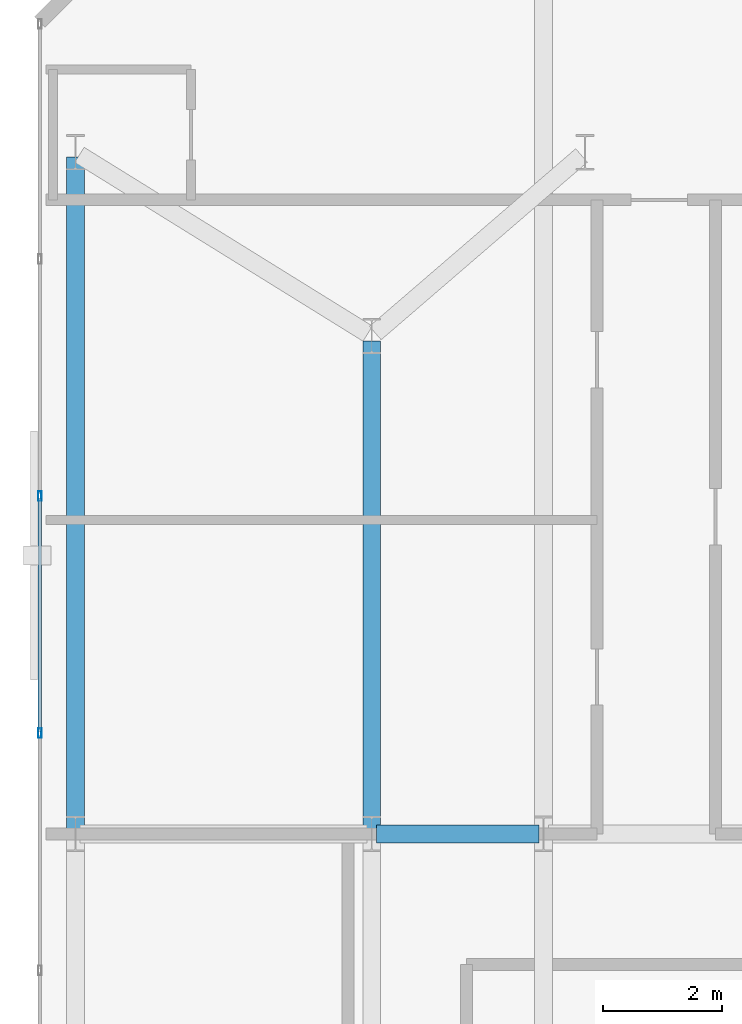
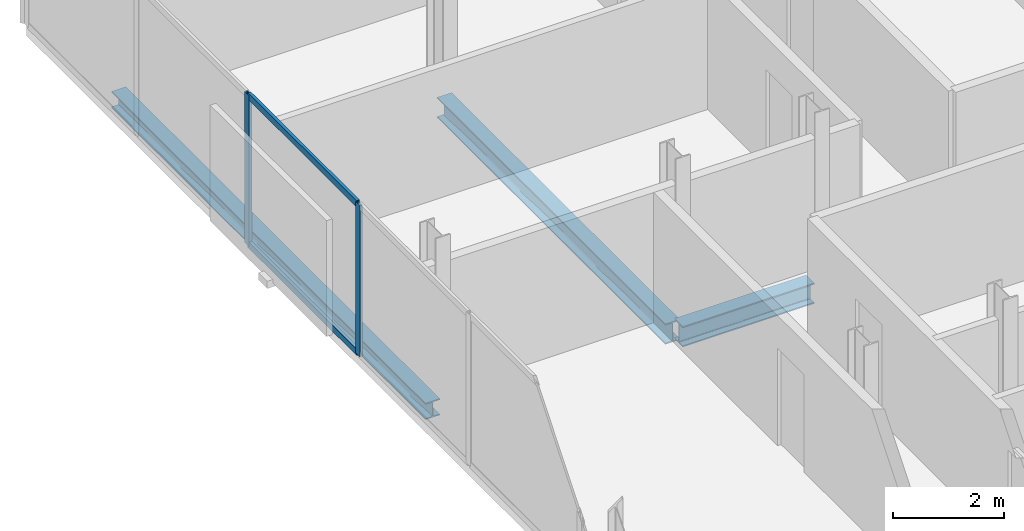
# One storey, part 11 of 32: 4 members, 3 beams, 1 element without a shape of its own.
"""IFC4 building model written with IfcOpenShell, lengths in metres."""

from ifc_helpers import new_model, si_unit, direction, frame, origin, origin_2d, place, context, subcontext, project, spatial, hollow_rectangle, i_section, extrude, material, layer, layer_set, material_profile, profile_set, type_object, element, aggregate, save


model = new_model("IFC4")

# Units and contexts
model_context = context("Model", 3, precision=1e-05, world=origin(), true_north=direction((0.0, 1.0)))
body_context = subcontext(model_context, "Body", "Model", "MODEL_VIEW")
ifc_project = project(units=[si_unit("LENGTHUNIT", "METRE"), si_unit("AREAUNIT", "SQUARE_METRE"), si_unit("VOLUMEUNIT", "CUBIC_METRE"), si_unit("PLANEANGLEUNIT", "RADIAN"), si_unit("MASSUNIT", "GRAM", prefix="KILO")], contexts=[model_context])

# Site, building, storey
site_placement = place(None, origin())
site = spatial("IfcSite", under=ifc_project, at=site_placement, CompositionType="ELEMENT")
building_placement = place(site_placement, origin())
building = spatial("IfcBuilding", under=site, at=building_placement, Name="Catumbela Crestline Tower", CompositionType="ELEMENT")
storey_placement = place(building_placement, frame((0.0, 0.0, 122.4)))
storey = spatial("IfcBuildingStorey", under=building, at=storey_placement, Name="L31", CompositionType="ELEMENT", Elevation=122.4)

# Beams
ifc_material_1 = material(Name="Structural steel S355J2", Category="steel")
ifc_material_profile_1 = material_profile(ifc_material_1, i_section(OverallWidth=0.3, OverallDepth=0.45, WebThickness=0.014, FlangeThickness=0.026, FilletRadius=0.027, at=origin_2d()), Name="HEB 450")
ifc_profile_set_1 = profile_set([ifc_material_profile_1], Name="Structural steel S355J2")
beam_type_1 = type_object("IfcBeamType", Name="BG-HEB450", PredefinedType="BEAM", material=ifc_profile_set_1)
beam_1_placement = place(storey_placement, frame((5.68, 30.8, -0.485), z_axis=(1.0, 0.0, 0.0), x_axis=(0.0, 1.0, 0.0)))
element("IfcBeam", 1, at=beam_1_placement, inside=storey, type_object=beam_type_1, Name="L31 Beam BM-L31-M08", PredefinedType="BEAM", context=body_context, shape_type="SweptSolid", body=[
    extrude(i_section(OverallWidth=0.3, OverallDepth=0.45, WebThickness=0.014, FlangeThickness=0.026, FilletRadius=0.027, at=origin_2d()), origin(), (0.0, 0.0, 1.0), 2.74),
])
beam_2_placement = place(storey_placement, frame((5.6, 30.88, -0.485), z_axis=(0.0, 1.0, 0.0), x_axis=(-1.0, 0.0, 0.0)))
element("IfcBeam", 2, at=beam_2_placement, inside=storey, type_object=beam_type_1, Name="L31 Beam BM-L31-SN25", PredefinedType="BEAM", context=body_context, shape_type="SweptSolid", body=[
    extrude(i_section(OverallWidth=0.3, OverallDepth=0.45, WebThickness=0.014, FlangeThickness=0.026, FilletRadius=0.027, at=origin_2d()), origin(), (0.0, 0.0, 1.0), 8.24),
])

# Curtain wall, members
ifc_material_2 = material(Name="Aluminium alloy AW-6060-T66", Category="aluminium")
ifc_layer = layer(ifc_material_2, 0.18, Name="Aluminium alloy AW-6060-T66")
ifc_layer_set = layer_set([ifc_layer], Name="Aluminium alloy AW-6060-T66")
curtain_wall_type = type_object("IfcCurtainWallType", Name="CWU-Z2", PredefinedType="USERDEFINED", material=ifc_layer_set)
curtain_wall_placement = place(storey_placement, origin())
curtain_wall = element("IfcCurtainWall", 3, at=curtain_wall_placement, inside=storey, type_object=curtain_wall_type, Name="L31 Unitised Curtain Wall CW-L31-E9S1", ObjectType="UNITISED", PredefinedType="USERDEFINED")
ifc_material_profile_2 = material_profile(ifc_material_2, hollow_rectangle(XDim=0.06, YDim=0.16, WallThickness=0.004, at=origin_2d()), Name="ALU 160x60x4")
ifc_profile_set_2 = profile_set([ifc_material_profile_2], Name="Aluminium alloy AW-6060-T66")
member_type_1 = type_object("IfcMemberType", Name="MUL-160X60", PredefinedType="MULLION", material=ifc_profile_set_2)
member_1_placement = place(storey_placement, frame((0.0, 36.5, 0.0), z_axis=(0.0, 0.0, 1.0), x_axis=(1.0, 0.0, 0.0)))
member_1 = element("IfcMember", 4, at=member_1_placement, type_object=member_type_1, Name="CWU-Z2 mullion 3", PredefinedType="MULLION", context=body_context, shape_type="SweptSolid", body=[
    extrude(hollow_rectangle(XDim=0.06, YDim=0.16, WallThickness=0.004, at=origin_2d()), origin(), (0.0, 0.0, 1.0), 3.33),
])
member_2_placement = place(storey_placement, frame((0.0, 32.5, 0.0), z_axis=(0.0, 0.0, 1.0), x_axis=(1.0, 0.0, 0.0)))
member_2 = element("IfcMember", 5, at=member_2_placement, type_object=member_type_1, Name="CWU-Z2 mullion 4", PredefinedType="MULLION", context=body_context, shape_type="SweptSolid", body=[
    extrude(hollow_rectangle(XDim=0.06, YDim=0.16, WallThickness=0.004, at=origin_2d()), origin(), (0.0, 0.0, 1.0), 3.33),
])

# Beam
ifc_material_profile_3 = material_profile(ifc_material_1, i_section(OverallWidth=0.3, OverallDepth=0.36, WebThickness=0.0125, FlangeThickness=0.0225, FilletRadius=0.027, at=origin_2d()), Name="HEB 360")
ifc_profile_set_3 = profile_set([ifc_material_profile_3], Name="Structural steel S355J2")
beam_type_2 = type_object("IfcBeamType", Name="BS-HEB360", PredefinedType="SPANDREL", material=ifc_profile_set_3)
beam_3_placement = place(storey_placement, frame((0.6, 30.88, -0.44), z_axis=(0.0, 1.0, 0.0), x_axis=(-1.0, 0.0, 0.0)))
element("IfcBeam", 6, at=beam_3_placement, inside=storey, type_object=beam_type_2, Name="L31 Spandrel SP-L31-SN23", PredefinedType="SPANDREL", context=body_context, shape_type="SweptSolid", body=[
    extrude(i_section(OverallWidth=0.3, OverallDepth=0.36, WebThickness=0.0125, FlangeThickness=0.0225, FilletRadius=0.027, at=origin_2d()), origin(), (0.0, 0.0, 1.0), 11.34),
])

# Member
ifc_material_profile_4 = material_profile(ifc_material_2, hollow_rectangle(XDim=0.06, YDim=0.14, WallThickness=0.004, at=origin_2d()), Name="ALU 140x60x4")
ifc_profile_set_4 = profile_set([ifc_material_profile_4], Name="Aluminium alloy AW-6060-T66")
member_type_2 = type_object("IfcMemberType", Name="TRN-140X60", PredefinedType="USERDEFINED", material=ifc_profile_set_4)
member_3_placement = place(storey_placement, frame((0.0, 36.4675, 0.03), z_axis=(0.0, -1.0, 0.0), x_axis=(1.0, 0.0, 0.0)))
member_3 = element("IfcMember", 7, at=member_3_placement, type_object=member_type_2, Name="CWU-Z2 transom 3.1", ObjectType="TRANSOM", PredefinedType="USERDEFINED", context=body_context, shape_type="SweptSolid", body=[
    extrude(hollow_rectangle(XDim=0.06, YDim=0.14, WallThickness=0.004, at=origin_2d()), origin(), (0.0, 0.0, 1.0), 3.935),
])

member_4_placement = place(storey_placement, frame((0.0, 36.4675, 3.3), z_axis=(0.0, -1.0, 0.0), x_axis=(1.0, 0.0, 0.0)))
member_4 = element("IfcMember", 8, at=member_4_placement, type_object=member_type_2, Name="CWU-Z2 transom 3.2", ObjectType="TRANSOM", PredefinedType="USERDEFINED", context=body_context, shape_type="SweptSolid", body=[
    extrude(hollow_rectangle(XDim=0.06, YDim=0.14, WallThickness=0.004, at=origin_2d()), origin(), (0.0, 0.0, 1.0), 3.935),
])

aggregate(curtain_wall, [member_1, member_2, member_3, member_4])

save(model, "model.ifc")
